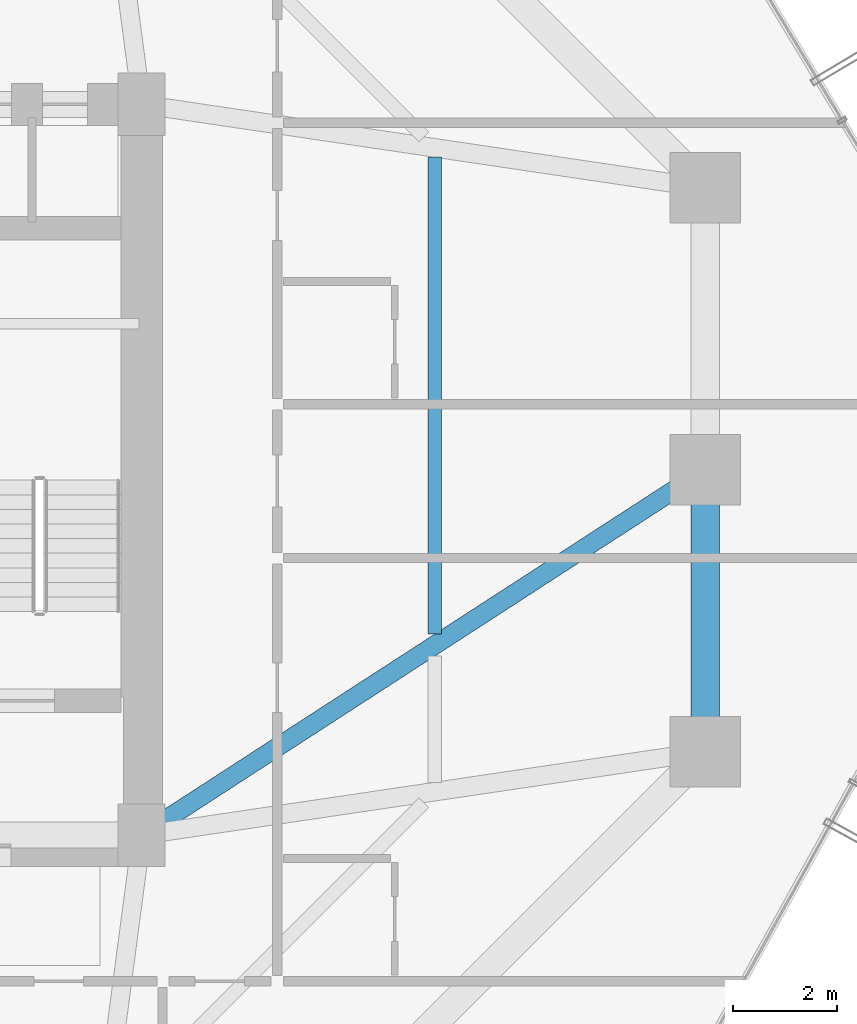
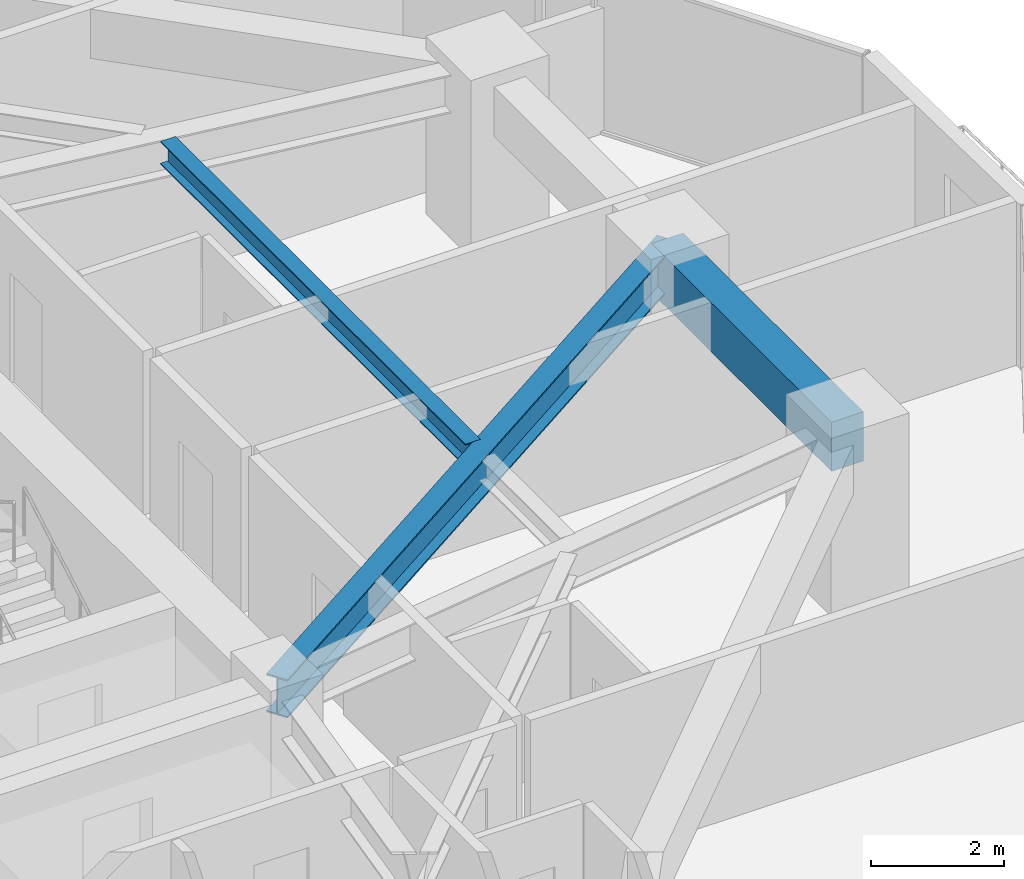
# One storey, part 19 of 39: 3 beams.
"""IFC4 building model written with IfcOpenShell, lengths in metres."""

from ifc_helpers import new_model, si_unit, direction, frame, origin, origin_2d, place, context, subcontext, project, spatial, rectangle, i_section, extrude, material, material_profile, profile_set, type_object, element, save


model = new_model("IFC4")

# Units and contexts
model_context = context("Model", 3, precision=1e-05, world=origin(), true_north=direction((0.0, 1.0)))
body_context = subcontext(model_context, "Body", "Model", "MODEL_VIEW")
ifc_project = project(units=[si_unit("LENGTHUNIT", "METRE"), si_unit("AREAUNIT", "SQUARE_METRE"), si_unit("VOLUMEUNIT", "CUBIC_METRE"), si_unit("PLANEANGLEUNIT", "RADIAN"), si_unit("MASSUNIT", "GRAM", prefix="KILO")], contexts=[model_context])

# Site, building, storey
site_placement = place(None, origin())
site = spatial("IfcSite", under=ifc_project, at=site_placement, CompositionType="ELEMENT")
building_placement = place(site_placement, origin())
building = spatial("IfcBuilding", under=site, at=building_placement, Name="Veraguas Prism Commons", CompositionType="ELEMENT")
storey_placement = place(building_placement, frame((0.0, 0.0, 27.300048828125)))
storey = spatial("IfcBuildingStorey", under=building, at=storey_placement, Name="L06", CompositionType="ELEMENT", Elevation=27.300048828125)

# Beams
ifc_material_1 = material(Name="Steel ASTM A992 Grade 50", Category="steel")
ifc_material_profile_1 = material_profile(ifc_material_1, i_section(OverallWidth=0.260986328125, OverallDepth=0.419921875, WebThickness=0.01171875, FlangeThickness=0.019287109375, at=origin_2d()), Name="W410X114")
ifc_profile_set_1 = profile_set([ifc_material_profile_1], Name="Steel ASTM A992 Grade 50")
beam_type_1 = type_object("IfcBeamType", Name="Lower Floor Joist W410x114", PredefinedType="JOIST", material=ifc_profile_set_1)
beam_1_placement = place(storey_placement, frame((36.416015625, 20.849609375, 2.7900390625), z_axis=(0.0, 1.0, 0.0), x_axis=(-1.0, 0.0, 0.0)))
element("IfcBeam", 1, at=beam_1_placement, inside=storey, type_object=beam_type_1, Name="Composite Floor Joist L06-JS02", PredefinedType="JOIST", context=body_context, shape_type="SweptSolid", body=[
    extrude(i_section(OverallWidth=0.260986328125, OverallDepth=0.419921875, WebThickness=0.01171875, FlangeThickness=0.019287109375, at=origin_2d()), origin(), (0.0, 0.0, 1.0), 9.140380859375),
])
ifc_material_2 = material(Name="Concrete C50/60", Category="concrete")
ifc_material_profile_2 = material_profile(ifc_material_2, rectangle(XDim=0.550048828125, YDim=0.89990234375, at=origin_2d()), Name="RC550X900")
ifc_profile_set_2 = profile_set([ifc_material_profile_2], Name="Concrete C50/60")
beam_type_2 = type_object("IfcBeamType", Name="Perimeter Spandrel Lower RC 550x900", PredefinedType="SPANDREL", material=ifc_profile_set_2)
beam_2_placement = place(storey_placement, frame((41.60009765625, 18.60009765625, 2.550048828125), z_axis=(0.0, 1.0, 0.0), x_axis=(-1.0, 0.0, 0.0)))
element("IfcBeam", 2, at=beam_2_placement, inside=storey, type_object=beam_type_2, Name="Perimeter Spandrel Beam L06-SP01", PredefinedType="SPANDREL", context=body_context, shape_type="SweptSolid", body=[
    extrude(rectangle(XDim=0.550048828125, YDim=0.89990234375, at=origin_2d()), origin(), (0.0, 0.0, 1.0), 5.39990234375),
])
ifc_material_profile_3 = material_profile(ifc_material_1, i_section(OverallWidth=0.35595703125, OverallDepth=0.700927734375, WebThickness=0.016845703125, FlangeThickness=0.02734375, at=origin_2d()), Name="W690X240")
ifc_profile_set_3 = profile_set([ifc_material_profile_3], Name="Steel ASTM A992 Grade 50")
beam_type_3 = type_object("IfcBeamType", Name="Zone 1 Radial Girder W690x240", PredefinedType="BEAM", material=ifc_profile_set_3)
beam_3_placement = place(storey_placement, frame((41.60009765625, 24.0, 2.6494140625), z_axis=(-0.839154108875, -0.543893722668, 0.0), x_axis=(0.543893722668, -0.839154108875, 0.0)))
element("IfcBeam", 3, at=beam_3_placement, inside=storey, type_object=beam_type_3, Name="Radial Floor Girder L06-RD02", PredefinedType="BEAM", context=body_context, shape_type="SweptSolid", body=[
    extrude(i_section(OverallWidth=0.35595703125, OverallDepth=0.700927734375, WebThickness=0.016845703125, FlangeThickness=0.02734375, at=origin_2d()), origin(), (0.0, 0.0, 1.0), 12.8701171875),
])

save(model, "model.ifc")
